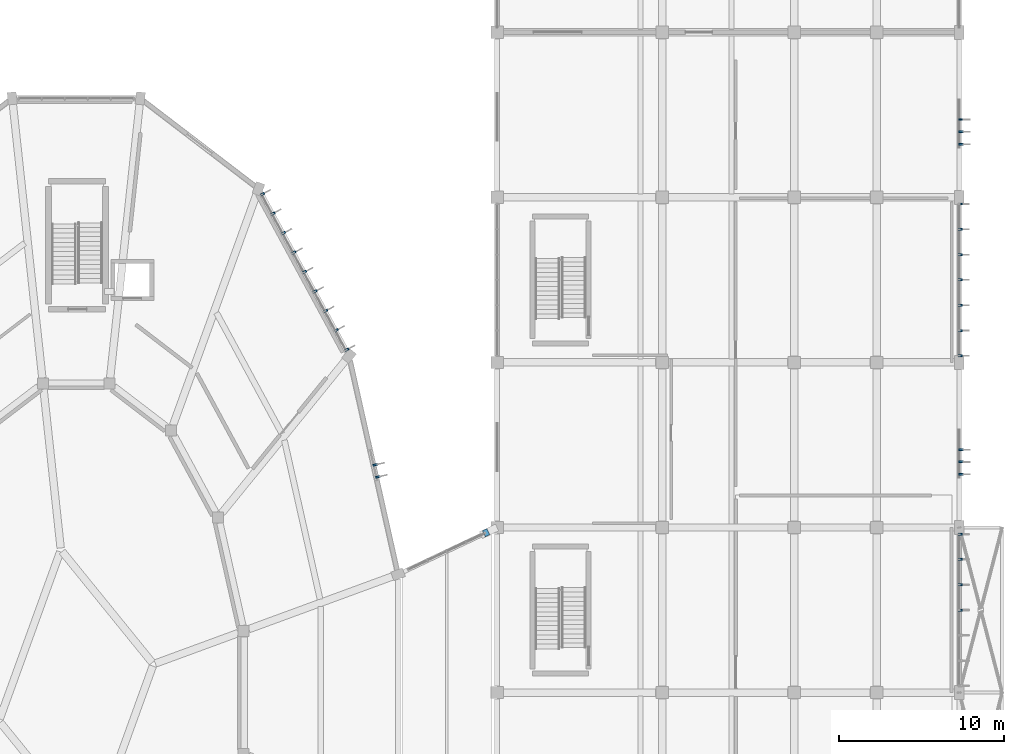
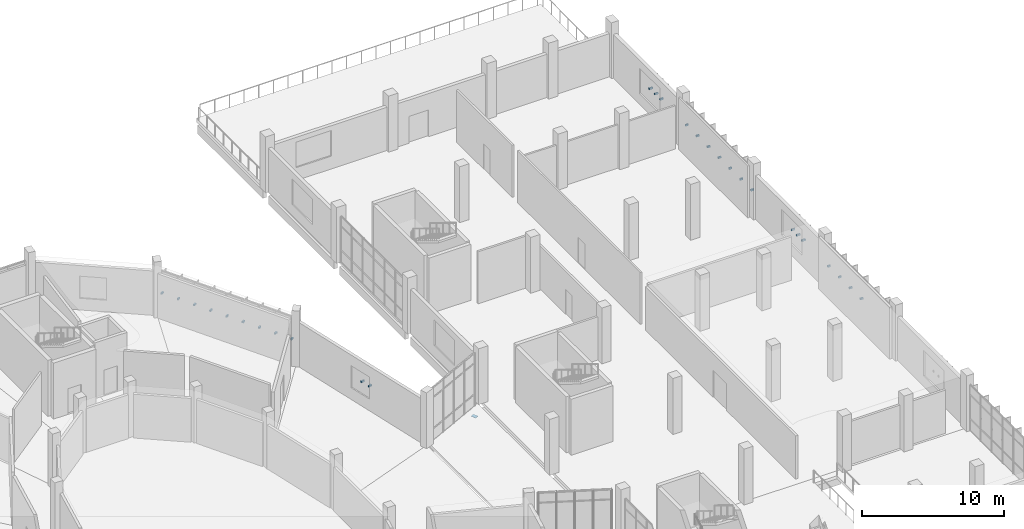
# One storey, part 147 of 179: 29 discrete accessories.
"""IFC4 building model written with IfcOpenShell, lengths in metres."""

from ifc_helpers import new_model, si_unit, direction, frame, origin, origin_2d, place, context, subcontext, project, spatial, rectangle, extrude, material, type_object, element, save


model = new_model("IFC4")

# Units and contexts
model_context = context("Model", 3, precision=1e-05, world=origin(), true_north=direction((0.0, 1.0)))
body_context = subcontext(model_context, "Body", "Model", "MODEL_VIEW")
ifc_project = project(units=[si_unit("LENGTHUNIT", "METRE"), si_unit("AREAUNIT", "SQUARE_METRE"), si_unit("VOLUMEUNIT", "CUBIC_METRE"), si_unit("PLANEANGLEUNIT", "RADIAN"), si_unit("MASSUNIT", "GRAM", prefix="KILO")], contexts=[model_context])

# Site, building, storey
site_placement = place(None, origin())
site = spatial("IfcSite", under=ifc_project, at=site_placement, CompositionType="ELEMENT")
building_placement = place(site_placement, origin())
building = spatial("IfcBuilding", under=site, at=building_placement, Name="Corvandel Quay Wholesale Market", CompositionType="ELEMENT")
storey_placement = place(building_placement, frame((0.0, 0.0, 6.0)))
storey = spatial("IfcBuildingStorey", under=building, at=storey_placement, Name="L01", CompositionType="ELEMENT", Elevation=6.0)

# Discrete accessories
ifc_material_1 = material(Name="Austenitic stainless steel Grade 316", Category="steel")
discrete_accessory_type_1 = type_object("IfcDiscreteAccessoryType", Name="Stainless Solar Fin Fixing Bracket BRK01", PredefinedType="USERDEFINED", material=ifc_material_1)
for number, where, z_axis, x_axis, name in (
    (1, (212.77734375, 73.066650390625, 1.8798828125), (0.0, 0.0, 1.0), (0.975726024471, 0.218994806262, 0.0), "Fin Bracket 0610"),
    (2, (212.613037109375, 73.79833984375, 1.8798828125), (0.0, 0.0, 1.0), (0.975726024471, 0.218994806262, 0.0), "Fin Bracket 0611"),
):
    element("IfcDiscreteAccessory", number, at=place(storey_placement, frame(where, z_axis=z_axis, x_axis=x_axis)), inside=storey, type_object=discrete_accessory_type_1, Name=name, ObjectType="BRACKET", PredefinedType="USERDEFINED", context=body_context, shape_type="SweptSolid", body=[
        extrude(rectangle(XDim=0.280029296875, YDim=0.1201171875, at=origin_2d()), origin(), (0.0, 0.0, 1.0), 0.139892578125),
    ])
for number, where, z_axis, x_axis, name in (
    (3, (210.893310546875, 80.772216796875, 1.9052734375), (0.0, 0.0, 1.0), (0.879316310191, 0.476238203668, 0.0), "Fin Bracket 0617"),
    (4, (210.25537109375, 81.9501953125, 1.9052734375), (0.0, 0.0, 1.0), (0.879316310191, 0.476238203668, 0.0), "Fin Bracket 0618"),
    (5, (209.6171875, 83.128173828125, 1.9052734375), (0.0, 0.0, 1.0), (0.879316310191, 0.476238203668, 0.0), "Fin Bracket 0619"),
    (6, (208.979248046875, 84.30615234375, 1.9052734375), (0.0, 0.0, 1.0), (0.879316310191, 0.476238203668, 0.0), "Fin Bracket 0620"),
    (7, (208.34130859375, 85.484130859375, 1.9052734375), (0.0, 0.0, 1.0), (0.879316310191, 0.476238203668, 0.0), "Fin Bracket 0621"),
    (8, (207.703369140625, 86.662109375, 1.9052734375), (0.0, 0.0, 1.0), (0.879316310191, 0.476238203668, 0.0), "Fin Bracket 0622"),
    (9, (207.065185546875, 87.840087890625, 1.9052734375), (0.0, 0.0, 1.0), (0.879316310191, 0.476238203668, 0.0), "Fin Bracket 0623"),
    (10, (206.42724609375, 89.017822265625, 1.9052734375), (0.0, 0.0, 1.0), (0.879316310191, 0.476238203668, 0.0), "Fin Bracket 0624"),
    (11, (205.789306640625, 90.19580078125, 1.9052734375), (0.0, 0.0, 1.0), (0.879316310191, 0.476238203668, 0.0), "Fin Bracket 0625"),
    (12, (248.06005859375, 65.0, 1.9052734375), (0.0, 0.0, 1.0), (1.0, 0.0, 0.0), "Fin Bracket 0822"),
    (13, (248.06005859375, 66.533203125, 1.9052734375), (0.0, 0.0, 1.0), (1.0, 0.0, 0.0), "Fin Bracket 0823"),
    (14, (248.06005859375, 68.066650390625, 1.9052734375), (0.0, 0.0, 1.0), (1.0, 0.0, 0.0), "Fin Bracket 0824"),
    (15, (248.06005859375, 69.60009765625, 1.9052734375), (0.0, 0.0, 1.0), (1.0, 0.0, 0.0), "Fin Bracket 0825"),
):
    element("IfcDiscreteAccessory", number, at=place(storey_placement, frame(where, z_axis=z_axis, x_axis=x_axis)), inside=storey, type_object=discrete_accessory_type_1, Name=name, ObjectType="BRACKET", PredefinedType="USERDEFINED", context=body_context, shape_type="SweptSolid", body=[
        extrude(rectangle(XDim=0.239990234375, YDim=0.1201171875, at=origin_2d()), origin(), (0.0, 0.0, 1.0), 0.139892578125),
    ])
for number, where, z_axis, x_axis, name in (
    (16, (248.10009765625, 73.219970703125, 1.93017578125), (0.0, 0.0, 1.0), (1.0, 0.0, 0.0), "Fin Bracket 0826"),
    (17, (248.10009765625, 73.969970703125, 1.93017578125), (0.0, 0.0, 1.0), (1.0, 0.0, 0.0), "Fin Bracket 0827"),
    (18, (248.10009765625, 74.719970703125, 1.93017578125), (0.0, 0.0, 1.0), (1.0, 0.0, 0.0), "Fin Bracket 0828"),
):
    element("IfcDiscreteAccessory", number, at=place(storey_placement, frame(where, z_axis=z_axis, x_axis=x_axis)), inside=storey, type_object=discrete_accessory_type_1, Name=name, ObjectType="BRACKET", PredefinedType="USERDEFINED", context=body_context, shape_type="SweptSolid", body=[
        extrude(rectangle(XDim=0.280029296875, YDim=0.1201171875, at=origin_2d()), origin(), (0.0, 0.0, 1.0), 0.139892578125),
    ])
for number, where, z_axis, x_axis, name in (
    (19, (248.06005859375, 80.39990234375, 1.9052734375), (0.0, 0.0, 1.0), (1.0, 0.0, 0.0), "Fin Bracket 0829"),
    (20, (248.06005859375, 81.933349609375, 1.9052734375), (0.0, 0.0, 1.0), (1.0, 0.0, 0.0), "Fin Bracket 0830"),
    (21, (248.06005859375, 83.466796875, 1.9052734375), (0.0, 0.0, 1.0), (1.0, 0.0, 0.0), "Fin Bracket 0831"),
    (22, (248.06005859375, 85.0, 1.9052734375), (0.0, 0.0, 1.0), (1.0, 0.0, 0.0), "Fin Bracket 0832"),
    (23, (248.06005859375, 86.533203125, 1.9052734375), (0.0, 0.0, 1.0), (1.0, 0.0, 0.0), "Fin Bracket 0833"),
    (24, (248.06005859375, 88.066650390625, 1.9052734375), (0.0, 0.0, 1.0), (1.0, 0.0, 0.0), "Fin Bracket 0834"),
    (25, (248.06005859375, 89.60009765625, 1.9052734375), (0.0, 0.0, 1.0), (1.0, 0.0, 0.0), "Fin Bracket 0835"),
):
    element("IfcDiscreteAccessory", number, at=place(storey_placement, frame(where, z_axis=z_axis, x_axis=x_axis)), inside=storey, type_object=discrete_accessory_type_1, Name=name, ObjectType="BRACKET", PredefinedType="USERDEFINED", context=body_context, shape_type="SweptSolid", body=[
        extrude(rectangle(XDim=0.239990234375, YDim=0.1201171875, at=origin_2d()), origin(), (0.0, 0.0, 1.0), 0.139892578125),
    ])
for number, where, z_axis, x_axis, name in (
    (26, (248.10009765625, 93.219970703125, 1.93017578125), (0.0, 0.0, 1.0), (1.0, 0.0, 0.0), "Fin Bracket 0836"),
    (27, (248.10009765625, 93.969970703125, 1.93017578125), (0.0, 0.0, 1.0), (1.0, 0.0, 0.0), "Fin Bracket 0837"),
    (28, (248.10009765625, 94.719970703125, 1.93017578125), (0.0, 0.0, 1.0), (1.0, 0.0, 0.0), "Fin Bracket 0838"),
):
    element("IfcDiscreteAccessory", number, at=place(storey_placement, frame(where, z_axis=z_axis, x_axis=x_axis)), inside=storey, type_object=discrete_accessory_type_1, Name=name, ObjectType="BRACKET", PredefinedType="USERDEFINED", context=body_context, shape_type="SweptSolid", body=[
        extrude(rectangle(XDim=0.280029296875, YDim=0.1201171875, at=origin_2d()), origin(), (0.0, 0.0, 1.0), 0.139892578125),
    ])
ifc_material_2 = material(Name="PTFE elastomeric bearing assembly")
discrete_accessory_type_2 = type_object("IfcDiscreteAccessoryType", Name="Unguided Bi-Directional PTFE Sliding Bearing SBG01", PredefinedType="USERDEFINED", material=ifc_material_2)
discrete_accessory_placement = place(storey_placement, frame((219.3310546875, 69.68359375, -0.943115234375), z_axis=(0.0, 0.0, 1.0), x_axis=(0.903933318548, 0.427673421689, 0.0)))
element("IfcDiscreteAccessory", 29, at=discrete_accessory_placement, inside=storey, type_object=discrete_accessory_type_2, Name="PTFE Sliding Bearing SBG-020", ObjectType="SLIDING BEARING", PredefinedType="USERDEFINED", context=body_context, shape_type="SweptSolid", body=[
    extrude(rectangle(XDim=0.300048828125, YDim=0.39990234375, at=origin_2d()), origin(), (0.0, 0.0, 1.0), 0.0400390625),
])

save(model, "model.ifc")
